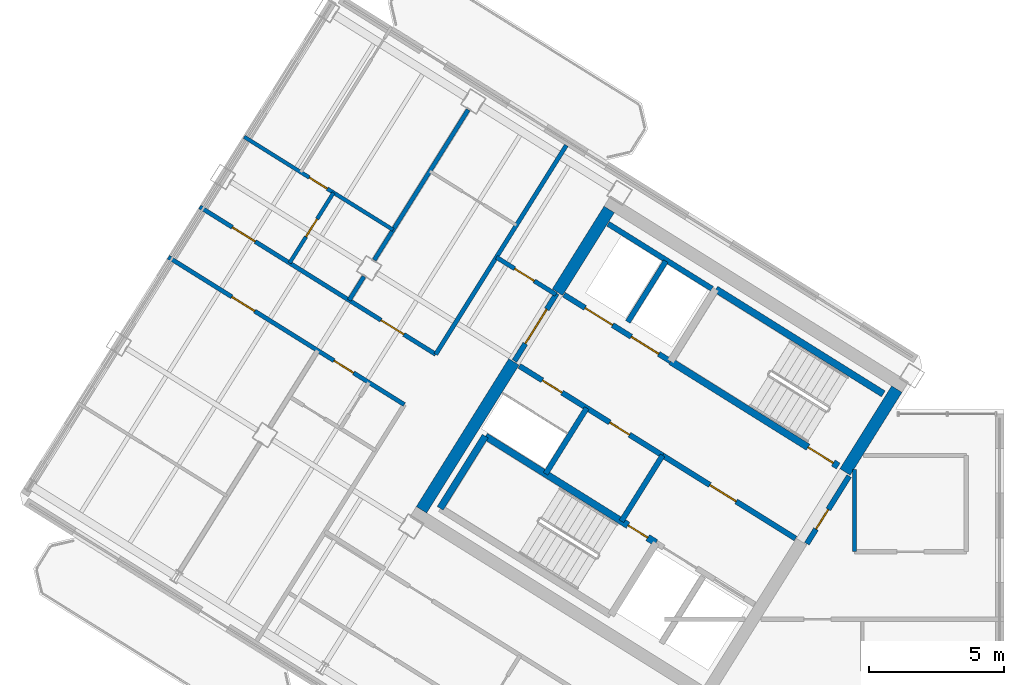
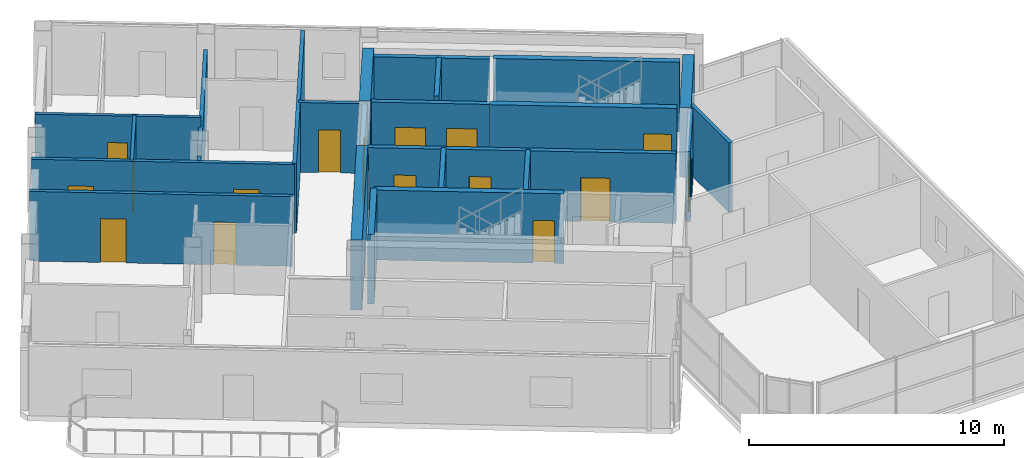
# One storey, part 8 of 13: 25 walls, 16 doors, 16 openings.
"""IFC4 building model written with IfcOpenShell, lengths in metres."""

from ifc_helpers import new_model, si_unit, direction, frame, frame_2d, origin, place, context, subcontext, project, spatial, rectangle, extrude, source, transform, mapped, material, layer, layer_set, type_object, element, fill, save


model = new_model("IFC4")

# Units and contexts
model_context = context("Model", 3, precision=1e-05, world=origin(), true_north=direction((0.0, 1.0)))
body_context = subcontext(model_context, "Body", "Model", "MODEL_VIEW")
ifc_project = project(units=[si_unit("LENGTHUNIT", "METRE"), si_unit("AREAUNIT", "SQUARE_METRE"), si_unit("VOLUMEUNIT", "CUBIC_METRE"), si_unit("PLANEANGLEUNIT", "RADIAN"), si_unit("MASSUNIT", "GRAM", prefix="KILO")], contexts=[model_context])

# Site, building, storey
site_placement = place(None, origin())
site = spatial("IfcSite", under=ifc_project, at=site_placement, CompositionType="ELEMENT")
building_placement = place(site_placement, origin())
building = spatial("IfcBuilding", under=site, at=building_placement, Name="Tlacorven Tower", CompositionType="ELEMENT")
storey_placement = place(building_placement, frame((0.0, 0.0, 291.60009765625)))
storey = spatial("IfcBuildingStorey", under=building, at=storey_placement, Name="L74", CompositionType="ELEMENT", Elevation=291.60009765625)

# Walls
ifc_material_1 = material(Name="Concrete C50/60", Category="concrete")
ifc_layer_1 = layer(ifc_material_1, 0.449951171875)
ifc_layer_set_1 = layer_set([ifc_layer_1], Name="Concrete C50/60")
wall_type_1 = type_object("IfcWallType", Name="WL-COR-450", PredefinedType="SHEAR", material=ifc_layer_set_1)
for number, where, z_axis, x_axis, name in (
    (1, (40.220703125, 23.96484375, 0.0), (0.0, 0.0, 1.0), (-0.529902075036, -0.848058836916, 0.0), "L74 W core end wall E1.1"),
    (2, (29.543701171875, 30.636474609375, 0.0), (0.0, 0.0, 1.0), (-0.529902075036, -0.848058836916, 0.0), "L74 W core end wall E2.1"),
):
    element("IfcWall", number, at=place(storey_placement, frame(where, z_axis=z_axis, x_axis=x_axis)), inside=storey, type_object=wall_type_1, Name=name, PredefinedType="SHEAR", context=body_context, shape_type="SweptSolid", body=[
        extrude(rectangle(XDim=3.625, YDim=0.449951171875, at=frame_2d((1.8125, 0.0))), origin(), (0.0, 0.0, 1.0), 3.349853515625),
    ])
wall_1_placement = place(storey_placement, frame((26.006591796875, 24.975830078125, 0.0), z_axis=(0.0, 0.0, 1.0), x_axis=(-0.529931155655, -0.848040665456, 0.0)))
element("IfcWall", 3, at=wall_1_placement, inside=storey, type_object=wall_type_1, Name="L74 W core end wall E2.2", PredefinedType="SHEAR", context=body_context, shape_type="SweptSolid", body=[
    extrude(rectangle(XDim=6.47509765625, YDim=0.449951171875, at=frame_2d((3.237548828125, 0.0))), origin(), (0.0, 0.0, 1.0), 3.349853515625),
])

# Wall, opening, door
ifc_material_2 = material(Name="Gypsum plasterboard acoustic partition", Category="gypsum")
ifc_layer_2 = layer(ifc_material_2, 0.159912109375)
ifc_layer_set_2 = layer_set([ifc_layer_2], Name="Gypsum plasterboard acoustic partition")
wall_type_2 = type_object("IfcWallType", Name="WL-DEM-160", PredefinedType="PARTITIONING", material=ifc_layer_set_2)
wall_2_placement = place(storey_placement, frame((27.56982421875, 27.4775390625, 0.0), z_axis=(0.0, 0.0, 1.0), x_axis=(-0.848050851465, 0.529914854792, 0.0)))
wall_2 = element("IfcWall", 4, at=wall_2_placement, inside=storey, type_object=wall_type_2, Name="L74 partition 19", PredefinedType="PARTITIONING", context=body_context, shape_type="SweptSolid", body=[
    extrude(rectangle(XDim=2.60986328125, YDim=0.159912109375, at=frame_2d((1.304931640625, 0.0))), origin(), (0.0, 0.0, 1.0), 3.33984375),
])
opening_1_placement = place(wall_2_placement, frame((0.949951171875, 0.0, 0.0)))
opening_1 = element("IfcOpeningElement", 5, at=opening_1_placement, cuts=wall_2, Name="Opening D19", PredefinedType="OPENING", context=body_context, shape_type="SweptSolid", body=[
    extrude(rectangle(XDim=0.860107421875, YDim=2.050048828125, at=frame_2d((0.43017578125, 1.02490234375))), frame((0.0, 0.08984375, 0.0), z_axis=(0.0, -1.0, 0.0), x_axis=(1.0, 0.0, 0.0)), (0.0, 0.0, 1.0), 0.179931640625),
])
ifc_material_3 = material(Name="Fire-rated steel door assembly", Category="steel")
door_type_1 = type_object("IfcDoorType", Name="DR-RSR-FD60-0860", OperationType="NOTDEFINED", PredefinedType="DOOR", material=ifc_material_3)
shared_shape_1 = source(origin(), body_context, "Body", "SweptSolid", [
    extrude(rectangle(XDim=0.860107421875, YDim=2.050048828125, at=frame_2d((0.43017578125, 1.02490234375))), frame((0.0, 0.02490234375, 0.0), z_axis=(0.0, -1.0, 0.0), x_axis=(1.0, 0.0, 0.0)), (0.0, 0.0, 1.0), 0.050048828125),
])
door_1_placement = place(opening_1_placement, frame((0.860107421875, 0.0, 0.0), z_axis=(0.0, 0.0, 1.0), x_axis=(-1.0, 0.0, 0.0)))
door_1 = element("IfcDoor", 6, at=door_1_placement, inside=storey, type_object=door_type_1, Name="L74 door 010", OperationType="SINGLE_SWING_LEFT", OverallHeight=2.050048828125, OverallWidth=0.860107421875, PredefinedType="DOOR", context=body_context, shape_type="MappedRepresentation", body=[
    mapped(shared_shape_1, transform((0.0, 0.0, 0.0), scale=1.0)),
])
fill(opening_1, door_1)

# Wall
wall_3_placement = place(storey_placement, frame((27.952880859375, 33.01611328125, 0.0), z_axis=(0.0, 0.0, 1.0), x_axis=(-0.529903001606, -0.848058257957, 0.0)))
element("IfcWall", 7, at=wall_3_placement, inside=storey, type_object=wall_type_2, Name="L74 partition 21", PredefinedType="PARTITIONING", context=body_context, shape_type="SweptSolid", body=[
    extrude(rectangle(XDim=9.150146484375, YDim=0.159912109375, at=frame_2d((4.5751953125, 0.0))), origin(), (0.0, 0.0, 1.0), 3.33984375),
])

# Wall, openings, doors
wall_4_placement = place(storey_placement, frame((23.104248046875, 25.25634765625, 0.0), z_axis=(0.0, 0.0, 1.0), x_axis=(-0.848043444964, 0.529926707624, 0.0)))
wall_4 = element("IfcWall", 8, at=wall_4_placement, inside=storey, type_object=wall_type_2, Name="L74 Wing W Corridor South Wall", PredefinedType="PARTITIONING", context=body_context, shape_type="SweptSolid", body=[
    extrude(rectangle(XDim=10.330078125, YDim=0.159912109375, at=frame_2d((5.1650390625, 0.0))), origin(), (0.0, 0.0, 1.0), 3.33984375),
])
opening_2_placement = place(wall_4_placement, frame((1.39501953125, 0.0, 0.0)))
opening_2 = element("IfcOpeningElement", 9, at=opening_2_placement, cuts=wall_4, Name="Opening D11", PredefinedType="OPENING", context=body_context, shape_type="SweptSolid", body=[
    extrude(rectangle(XDim=1.0, YDim=2.10009765625, at=frame_2d((0.5, 1.050048828125))), frame((0.0, 0.08984375, 0.0), z_axis=(0.0, -1.0, 0.0), x_axis=(1.0, 0.0, 0.0)), (0.0, 0.0, 1.0), 0.179931640625),
])
opening_3_placement = place(wall_4_placement, frame((7.904052734375, 0.0, 0.0)))
opening_3 = element("IfcOpeningElement", 10, at=opening_3_placement, cuts=wall_4, Name="Opening D11", PredefinedType="OPENING", context=body_context, shape_type="SweptSolid", body=[
    extrude(rectangle(XDim=1.0, YDim=2.10009765625, at=frame_2d((0.5, 1.050048828125))), frame((0.0, 0.08984375, 0.0), z_axis=(0.0, -1.0, 0.0), x_axis=(1.0, 0.0, 0.0)), (0.0, 0.0, 1.0), 0.179931640625),
])
door_type_2 = type_object("IfcDoorType", Name="DR-FLT-FD60-1000", OperationType="NOTDEFINED", PredefinedType="DOOR", material=ifc_material_3)
shared_shape_2 = source(origin(), body_context, "Body", "SweptSolid", [
    extrude(rectangle(XDim=1.0, YDim=2.10009765625, at=frame_2d((0.5, 1.050048828125))), frame((0.0, 0.02490234375, 0.0), z_axis=(0.0, -1.0, 0.0), x_axis=(1.0, 0.0, 0.0)), (0.0, 0.0, 1.0), 0.050048828125),
])
door_2_placement = place(opening_2_placement, origin())
door_2 = element("IfcDoor", 11, at=door_2_placement, inside=storey, type_object=door_type_2, Name="L74 door 017", OperationType="SINGLE_SWING_LEFT", OverallHeight=2.10009765625, OverallWidth=1.0, PredefinedType="DOOR", context=body_context, shape_type="MappedRepresentation", body=[
    mapped(shared_shape_2, transform((0.0, 0.0, 0.0), scale=1.0)),
])
fill(opening_2, door_2)
door_3_placement = place(opening_3_placement, origin())
door_3 = element("IfcDoor", 12, at=door_3_placement, inside=storey, type_object=door_type_2, Name="L74 door 020", OperationType="SINGLE_SWING_RIGHT", OverallHeight=2.10009765625, OverallWidth=1.0, PredefinedType="DOOR", context=body_context, shape_type="MappedRepresentation", body=[
    mapped(shared_shape_2, transform((0.0, 0.0, 0.0), scale=1.0)),
])
fill(opening_3, door_3)

wall_5_placement = place(storey_placement, frame((21.9384765625, 23.390625, 0.0), z_axis=(0.0, 0.0, 1.0), x_axis=(-0.848050081784, 0.529916086552, 0.0)))
wall_5 = element("IfcWall", 13, at=wall_5_placement, inside=storey, type_object=wall_type_2, Name="L74 Wing W Corridor North Wall", PredefinedType="PARTITIONING", context=body_context, shape_type="SweptSolid", body=[
    extrude(rectangle(XDim=10.330078125, YDim=0.159912109375, at=frame_2d((5.1650390625, 0.0))), origin(), (0.0, 0.0, 1.0), 3.33984375),
])
opening_4_placement = place(wall_5_placement, frame((2.219970703125, 0.0, 0.0)))
opening_4 = element("IfcOpeningElement", 14, at=opening_4_placement, cuts=wall_5, Name="Opening D19", PredefinedType="OPENING", context=body_context, shape_type="SweptSolid", body=[
    extrude(rectangle(XDim=0.860107421875, YDim=2.050048828125, at=frame_2d((0.43017578125, 1.02490234375))), frame((0.0, 0.08984375, 0.0), z_axis=(0.0, -1.0, 0.0), x_axis=(1.0, 0.0, 0.0)), (0.0, 0.0, 1.0), 0.179931640625),
])
opening_5_placement = place(wall_5_placement, frame((6.550048828125, 0.0, 0.0)))
opening_5 = element("IfcOpeningElement", 15, at=opening_5_placement, cuts=wall_5, Name="Opening D11", PredefinedType="OPENING", context=body_context, shape_type="SweptSolid", body=[
    extrude(rectangle(XDim=1.0, YDim=2.10009765625, at=frame_2d((0.5, 1.050048828125))), frame((0.0, 0.08984375, 0.0), z_axis=(0.0, -1.0, 0.0), x_axis=(1.0, 0.0, 0.0)), (0.0, 0.0, 1.0), 0.179931640625),
])
door_4_placement = place(opening_4_placement, origin())
door_4 = element("IfcDoor", 16, at=door_4_placement, inside=storey, type_object=door_type_1, Name="L74 door 012", OperationType="SINGLE_SWING_RIGHT", OverallHeight=2.050048828125, OverallWidth=0.860107421875, PredefinedType="DOOR", context=body_context, shape_type="MappedRepresentation", body=[
    mapped(shared_shape_1, transform((0.0, 0.0, 0.0), scale=1.0)),
])
fill(opening_4, door_4)
door_5_placement = place(opening_5_placement, origin())
door_5 = element("IfcDoor", 17, at=door_5_placement, inside=storey, type_object=door_type_2, Name="L74 door 015", OperationType="SINGLE_SWING_LEFT", OverallHeight=2.10009765625, OverallWidth=1.0, PredefinedType="DOOR", context=body_context, shape_type="MappedRepresentation", body=[
    mapped(shared_shape_2, transform((0.0, 0.0, 0.0), scale=1.0)),
])
fill(opening_5, door_5)

# Walls
wall_6_placement = place(storey_placement, frame((24.30859375, 34.3359375, 0.0), z_axis=(0.0, 0.0, 1.0), x_axis=(-0.529895484599, -0.848062954858, 0.0)))
element("IfcWall", 18, at=wall_6_placement, inside=storey, type_object=wall_type_2, Name="L74 WS Demising Wall 1", PredefinedType="PARTITIONING", context=body_context, shape_type="SweptSolid", body=[
    extrude(rectangle(XDim=6.576171875, YDim=0.159912109375, at=frame_2d((3.2880859375, 0.0))), origin(), (0.0, 0.0, 1.0), 2.875),
])
wall_7_placement = place(storey_placement, frame((20.440185546875, 28.14501953125, 0.0), z_axis=(0.0, 0.0, 1.0), x_axis=(-0.529977795385, -0.848011519025, 0.0)))
element("IfcWall", 19, at=wall_7_placement, inside=storey, type_object=wall_type_2, Name="L74 WS Demising Wall 1", PredefinedType="PARTITIONING", context=body_context, shape_type="SweptSolid", body=[
    extrude(rectangle(XDim=1.037841796875, YDim=0.159912109375, at=frame_2d((0.51904296875, 0.0))), origin(), (0.0, 0.0, 1.0), 2.875),
])
wall_8_placement = place(storey_placement, frame((38.64990234375, 17.929931640625, 0.0), z_axis=(0.0, 0.0, 1.0), x_axis=(0.0, 1.0, 0.0)))
element("IfcWall", 20, at=wall_8_placement, inside=storey, type_object=wall_type_2, Name="L74 partition 42", PredefinedType="PARTITIONING", context=body_context, shape_type="SweptSolid", body=[
    extrude(rectangle(XDim=3.045654296875, YDim=0.159912109375, at=frame_2d((1.52294921875, 0.0))), origin(), (0.0, 0.0, 1.0), 3.33984375),
])

# Wall, opening, door
ifc_material_4 = material(Name="Moisture-resistant gypsum plumbing wall", Category="gypsum")
ifc_layer_3 = layer(ifc_material_4, 0.139892578125)
ifc_layer_set_3 = layer_set([ifc_layer_3], Name="Moisture-resistant gypsum plumbing wall")
wall_type_3 = type_object("IfcWallType", Name="WL-PLM-140", PredefinedType="PLUMBINGWALL", material=ifc_layer_set_3)
wall_9_placement = place(storey_placement, frame((21.522216796875, 29.876708984375, 0.0), z_axis=(0.0, 0.0, 1.0), x_axis=(-0.848048787466, 0.529918157905, 0.0)))
wall_9 = element("IfcWall", 21, at=wall_9_placement, inside=storey, type_object=wall_type_3, Name="L74 partition 32", PredefinedType="PLUMBINGWALL", context=body_context, shape_type="SweptSolid", body=[
    extrude(rectangle(XDim=6.52001953125, YDim=0.139892578125, at=frame_2d((3.260009765625, 0.0))), origin(), (0.0, 0.0, 1.0), 3.33984375),
])
opening_6_placement = place(wall_9_placement, frame((2.885009765625, 0.0, 0.0)))
opening_6 = element("IfcOpeningElement", 22, at=opening_6_placement, cuts=wall_9, Name="Opening D22", PredefinedType="OPENING", context=body_context, shape_type="SweptSolid", body=[
    extrude(rectangle(XDim=0.780029296875, YDim=2.050048828125, at=frame_2d((0.39013671875, 1.02490234375))), frame((0.0, 0.080078125, 0.0), z_axis=(0.0, -1.0, 0.0), x_axis=(1.0, 0.0, 0.0)), (0.0, 0.0, 1.0), 0.159912109375),
])
ifc_material_5 = material(Name="Powder-coated aluminium and timber door", Category="wood")
door_type_3 = type_object("IfcDoorType", Name="DR-INT-WET-0780", OperationType="NOTDEFINED", PredefinedType="DOOR", material=ifc_material_5)
shared_shape_3 = source(origin(), body_context, "Body", "SweptSolid", [
    extrude(rectangle(XDim=0.780029296875, YDim=2.050048828125, at=frame_2d((0.39013671875, 1.02490234375))), frame((0.0, 0.02490234375, 0.0), z_axis=(0.0, -1.0, 0.0), x_axis=(1.0, 0.0, 0.0)), (0.0, 0.0, 1.0), 0.050048828125),
])
door_6_placement = place(opening_6_placement, origin())
door_6 = element("IfcDoor", 23, at=door_6_placement, inside=storey, type_object=door_type_3, Name="L74 door 021", OperationType="SINGLE_SWING_LEFT", OverallHeight=2.050048828125, OverallWidth=0.780029296875, PredefinedType="DOOR", context=body_context, shape_type="MappedRepresentation", body=[
    mapped(shared_shape_3, transform((0.0, 0.0, 0.0), scale=1.0)),
])
fill(opening_6, door_6)

wall_10_placement = place(storey_placement, frame((19.310546875, 31.2587890625, 0.0), z_axis=(0.0, 0.0, 1.0), x_axis=(-0.52989206052, -0.848065094316, 0.0)))
wall_10 = element("IfcWall", 24, at=wall_10_placement, inside=storey, type_object=wall_type_3, Name="L74 partition 33", PredefinedType="PLUMBINGWALL", context=body_context, shape_type="SweptSolid", body=[
    extrude(rectangle(XDim=3.080078125, YDim=0.139892578125, at=frame_2d((1.5400390625, 0.0))), origin(), (0.0, 0.0, 1.0), 3.33984375),
])
opening_7_placement = place(wall_10_placement, frame((1.14990234375, 0.0, 0.0)))
opening_7 = element("IfcOpeningElement", 25, at=opening_7_placement, cuts=wall_10, Name="Opening D22", PredefinedType="OPENING", context=body_context, shape_type="SweptSolid", body=[
    extrude(rectangle(XDim=0.780029296875, YDim=2.050048828125, at=frame_2d((0.39013671875, 1.02490234375))), frame((0.0, 0.080078125, 0.0), z_axis=(0.0, -1.0, 0.0), x_axis=(1.0, 0.0, 0.0)), (0.0, 0.0, 1.0), 0.159912109375),
])
door_7_placement = place(opening_7_placement, origin())
door_7 = element("IfcDoor", 26, at=door_7_placement, inside=storey, type_object=door_type_3, Name="L74 door 022", OperationType="SINGLE_SWING_RIGHT", OverallHeight=2.050048828125, OverallWidth=0.780029296875, PredefinedType="DOOR", context=body_context, shape_type="MappedRepresentation", body=[
    mapped(shared_shape_3, transform((0.0, 0.0, 0.0), scale=1.0)),
])
fill(opening_7, door_7)

ifc_material_6 = material(Name="Concrete C40/50", Category="concrete")
ifc_layer_4 = layer(ifc_material_6, 0.199951171875)
ifc_layer_set_4 = layer_set([ifc_layer_4], Name="Concrete C40/50")
wall_type_4 = type_object("IfcWallType", Name="WL-SHF-200", PredefinedType="STANDARD", material=ifc_layer_set_4)
wall_11_placement = place(storey_placement, frame((36.459228515625, 18.420654296875, 0.0), z_axis=(0.0, 0.0, 1.0), x_axis=(-0.848059591691, 0.529900867089, 0.0)))
wall_11 = element("IfcWall", 27, at=wall_11_placement, inside=storey, type_object=wall_type_4, Name="L74 Core W Smoke Lobby Wall", PredefinedType="STANDARD", context=body_context, shape_type="SweptSolid", body=[
    extrude(rectangle(XDim=5.818115234375, YDim=0.199951171875, at=frame_2d((2.9091796875, 0.0))), origin(), (0.0, 0.0, 1.0), 3.33984375),
])
opening_8_placement = place(wall_11_placement, frame((2.597900390625, 0.0, 0.0)))
opening_8 = element("IfcOpeningElement", 28, at=opening_8_placement, cuts=wall_11, Name="Opening D09", PredefinedType="OPENING", context=body_context, shape_type="SweptSolid", body=[
    extrude(rectangle(XDim=1.14990234375, YDim=2.10009765625, at=frame_2d((0.574951171875, 1.050048828125))), frame((0.0, 0.10986328125, 0.0), z_axis=(0.0, -1.0, 0.0), x_axis=(1.0, 0.0, 0.0)), (0.0, 0.0, 1.0), 0.219970703125),
])
door_type_4 = type_object("IfcDoorType", Name="DR-FFL-FD60-1150", OperationType="NOTDEFINED", PredefinedType="DOOR", material=ifc_material_3)
shared_shape_4 = source(origin(), body_context, "Body", "SweptSolid", [
    extrude(rectangle(XDim=1.14990234375, YDim=2.10009765625, at=frame_2d((0.574951171875, 1.050048828125))), frame((0.0, 0.02490234375, 0.0), z_axis=(0.0, -1.0, 0.0), x_axis=(1.0, 0.0, 0.0)), (0.0, 0.0, 1.0), 0.050048828125),
])
door_8_placement = place(opening_8_placement, origin())
door_8 = element("IfcDoor", 29, at=door_8_placement, inside=storey, type_object=door_type_4, Name="L74 Firefighting Lobby W Fire Door", OperationType="SINGLE_SWING_RIGHT", OverallHeight=2.10009765625, OverallWidth=1.14990234375, PredefinedType="DOOR", context=body_context, shape_type="MappedRepresentation", body=[
    mapped(shared_shape_4, transform((0.0, 0.0, 0.0), scale=1.0)),
])
fill(opening_8, door_8)

# Wall, openings, doors
wall_12_placement = place(storey_placement, frame((31.82177734375, 24.99755859375, 0.0), z_axis=(0.0, 0.0, 1.0), x_axis=(-0.848054125777, 0.529909614701, 0.0)))
wall_12 = element("IfcWall", 30, at=wall_12_placement, inside=storey, type_object=wall_type_4, Name="L74 Core W South Lift Shaft Wall", PredefinedType="STANDARD", context=body_context, shape_type="SweptSolid", body=[
    extrude(rectangle(XDim=4.66796875, YDim=0.199951171875, at=frame_2d((2.333984375, 0.0))), origin(), (0.0, 0.0, 1.0), 3.33984375),
])
opening_9_placement = place(wall_12_placement, frame((0.52001953125, 0.0, 0.0)))
opening_9 = element("IfcOpeningElement", 31, at=opening_9_placement, cuts=wall_12, Name="Opening LD02", PredefinedType="OPENING", context=body_context, shape_type="SweptSolid", body=[
    extrude(rectangle(XDim=1.199951171875, YDim=2.14990234375, at=frame_2d((0.60009765625, 1.074951171875))), frame((0.0, 0.10986328125, 0.0), z_axis=(0.0, -1.0, 0.0), x_axis=(1.0, 0.0, 0.0)), (0.0, 0.0, 1.0), 0.219970703125),
])
opening_10_placement = place(wall_12_placement, frame((2.5400390625, 0.0, 0.0)))
opening_10 = element("IfcOpeningElement", 32, at=opening_10_placement, cuts=wall_12, Name="Opening LD02", PredefinedType="OPENING", context=body_context, shape_type="SweptSolid", body=[
    extrude(rectangle(XDim=1.199951171875, YDim=2.14990234375, at=frame_2d((0.60009765625, 1.074951171875))), frame((0.0, 0.10986328125, 0.0), z_axis=(0.0, -1.0, 0.0), x_axis=(1.0, 0.0, 0.0)), (0.0, 0.0, 1.0), 0.219970703125),
])
door_type_5 = type_object("IfcDoorType", Name="DR-LFT-SLID-1200", OperationType="DOUBLE_DOOR_SLIDING", PredefinedType="DOOR", material=ifc_material_3)
shared_shape_5 = source(origin(), body_context, "Body", "SweptSolid", [
    extrude(rectangle(XDim=1.199951171875, YDim=2.14990234375, at=frame_2d((0.60009765625, 1.074951171875))), frame((0.0, 0.02490234375, 0.0), z_axis=(0.0, -1.0, 0.0), x_axis=(1.0, 0.0, 0.0)), (0.0, 0.0, 1.0), 0.050048828125),
])
door_9_placement = place(opening_9_placement, origin())
door_9 = element("IfcDoor", 33, at=door_9_placement, inside=storey, type_object=door_type_5, Name="L74 Lift PL-H1 Sliding Landing Door", OperationType="DOUBLE_DOOR_SLIDING", OverallHeight=2.14990234375, OverallWidth=1.199951171875, PredefinedType="DOOR", context=body_context, shape_type="MappedRepresentation", body=[
    mapped(shared_shape_5, transform((0.0, 0.0, 0.0), scale=1.0)),
])
fill(opening_9, door_9)
door_10_placement = place(opening_10_placement, origin())
door_10 = element("IfcDoor", 34, at=door_10_placement, inside=storey, type_object=door_type_5, Name="L74 Lift PL-H2 Sliding Landing Door", OperationType="DOUBLE_DOOR_SLIDING", OverallHeight=2.14990234375, OverallWidth=1.199951171875, PredefinedType="DOOR", context=body_context, shape_type="MappedRepresentation", body=[
    mapped(shared_shape_5, transform((0.0, 0.0, 0.0), scale=1.0)),
])
fill(opening_10, door_10)

# Walls
wall_13_placement = place(storey_placement, frame((31.645263671875, 28.716064453125, 0.0), z_axis=(0.0, 0.0, 1.0), x_axis=(-0.52986693015, -0.848080795876, 0.0)))
element("IfcWall", 35, at=wall_13_placement, inside=storey, type_object=wall_type_4, Name="L74 partition 12", PredefinedType="STANDARD", context=body_context, shape_type="SweptSolid", body=[
    extrude(rectangle(XDim=2.659912109375, YDim=0.199951171875, at=frame_2d((1.330078125, 0.0))), origin(), (0.0, 0.0, 1.0), 3.33984375),
])
wall_14_placement = place(storey_placement, frame((33.362548828125, 27.690185546875, 0.0), z_axis=(0.0, 0.0, 1.0), x_axis=(-0.84804957148, 0.529916903215, 0.0)))
element("IfcWall", 36, at=wall_14_placement, inside=storey, type_object=wall_type_4, Name="L74 partition 14", PredefinedType="STANDARD", context=body_context, shape_type="SweptSolid", body=[
    extrude(rectangle(XDim=4.547607421875, YDim=0.199951171875, at=frame_2d((2.27392578125, 0.0))), origin(), (0.0, 0.0, 1.0), 3.33984375),
])
for number, where, z_axis, x_axis, name in (
    (37, (31.525146484375, 21.503662109375, 0.0), (0.0, 0.0, 1.0), (-0.529907497854, -0.848055448493, 0.0), "L74 partition 15"),
    (38, (28.709716796875, 23.26318359375, 0.0), (0.0, 0.0, 1.0), (-0.529907497854, -0.848055448493, 0.0), "L74 partition 16"),
):
    element("IfcWall", number, at=place(storey_placement, frame(where, z_axis=z_axis, x_axis=x_axis)), inside=storey, type_object=wall_type_4, Name=name, PredefinedType="STANDARD", context=body_context, shape_type="SweptSolid", body=[
        extrude(rectangle(XDim=2.8798828125, YDim=0.199951171875, at=frame_2d((1.43994140625, 0.0))), origin(), (0.0, 0.0, 1.0), 3.33984375),
    ])

# Wall, openings, doors
wall_15_placement = place(storey_placement, frame((31.525146484375, 21.503662109375, 0.0), z_axis=(0.0, 0.0, 1.0), x_axis=(-0.848042066329, 0.529928913853, 0.0)))
wall_15 = element("IfcWall", 39, at=wall_15_placement, inside=storey, type_object=wall_type_4, Name="L74 Core W North Service Wall", PredefinedType="STANDARD", context=body_context, shape_type="SweptSolid", body=[
    extrude(rectangle(XDim=6.267822265625, YDim=0.199951171875, at=frame_2d((3.1337890625, 0.0))), origin(), (0.0, 0.0, 1.0), 3.33984375),
])
opening_11_placement = place(wall_15_placement, frame((4.39990234375, 0.0, 0.0)))
opening_11 = element("IfcOpeningElement", 40, at=opening_11_placement, cuts=wall_15, Name="Opening D19", PredefinedType="OPENING", context=body_context, shape_type="SweptSolid", body=[
    extrude(rectangle(XDim=0.860107421875, YDim=2.050048828125, at=frame_2d((0.43017578125, 1.02490234375))), frame((0.0, 0.10986328125, 0.0), z_axis=(0.0, -1.0, 0.0), x_axis=(1.0, 0.0, 0.0)), (0.0, 0.0, 1.0), 0.219970703125),
])
opening_12_placement = place(wall_15_placement, frame((1.449951171875, 0.0, 0.0)))
opening_12 = element("IfcOpeningElement", 41, at=opening_12_placement, cuts=wall_15, Name="Opening D19", PredefinedType="OPENING", context=body_context, shape_type="SweptSolid", body=[
    extrude(rectangle(XDim=0.860107421875, YDim=2.050048828125, at=frame_2d((0.43017578125, 1.02490234375))), frame((0.0, 0.10986328125, 0.0), z_axis=(0.0, -1.0, 0.0), x_axis=(1.0, 0.0, 0.0)), (0.0, 0.0, 1.0), 0.219970703125),
])
door_11_placement = place(opening_11_placement, frame((0.860107421875, 0.0, 0.0), z_axis=(0.0, 0.0, 1.0), x_axis=(-1.0, 0.0, 0.0)))
door_11 = element("IfcDoor", 42, at=door_11_placement, inside=storey, type_object=door_type_1, Name="L74 Electrical Riser Access Door W", OperationType="SINGLE_SWING_LEFT", OverallHeight=2.050048828125, OverallWidth=0.860107421875, PredefinedType="DOOR", context=body_context, shape_type="MappedRepresentation", body=[
    mapped(shared_shape_1, transform((0.0, 0.0, 0.0), scale=1.0)),
])
fill(opening_11, door_11)
door_12_placement = place(opening_12_placement, frame((0.860107421875, 0.0, 0.0), z_axis=(0.0, 0.0, 1.0), x_axis=(-1.0, 0.0, 0.0)))
door_12 = element("IfcDoor", 43, at=door_12_placement, inside=storey, type_object=door_type_1, Name="L74 Housekeeping Linen Access Door W", OperationType="SINGLE_SWING_RIGHT", OverallHeight=2.050048828125, OverallWidth=0.860107421875, PredefinedType="DOOR", context=body_context, shape_type="MappedRepresentation", body=[
    mapped(shared_shape_1, transform((0.0, 0.0, 0.0), scale=1.0)),
])
fill(opening_12, door_12)

# Wall, opening, door
wall_16_placement = place(storey_placement, frame((27.59619140625, 27.52001953125, 0.0), z_axis=(0.0, 0.0, 1.0), x_axis=(-0.529865479138, -0.848081702443, 0.0)))
wall_16 = element("IfcWall", 44, at=wall_16_placement, inside=storey, type_object=wall_type_4, Name="L74 partition 18", PredefinedType="STANDARD", context=body_context, shape_type="SweptSolid", body=[
    extrude(rectangle(XDim=2.9599609375, YDim=0.199951171875, at=frame_2d((1.47998046875, 0.0))), origin(), (0.0, 0.0, 1.0), 3.33984375),
])
opening_13_placement = place(wall_16_placement, frame((0.699951171875, 0.0, 0.0)))
opening_13 = element("IfcOpeningElement", 45, at=opening_13_placement, cuts=wall_16, Name="Opening D10", PredefinedType="OPENING", context=body_context, shape_type="SweptSolid", body=[
    extrude(rectangle(XDim=1.5, YDim=2.14990234375, at=frame_2d((0.75, 1.074951171875))), frame((0.0, 0.10986328125, 0.0), z_axis=(0.0, -1.0, 0.0), x_axis=(1.0, 0.0, 0.0)), (0.0, 0.0, 1.0), 0.219970703125),
])
door_type_6 = type_object("IfcDoorType", Name="DR-LOB-FD60-1500", OperationType="DOUBLE_DOOR_SINGLE_SWING", PredefinedType="DOOR", material=ifc_material_3)
shared_shape_6 = source(origin(), body_context, "Body", "SweptSolid", [
    extrude(rectangle(XDim=1.5, YDim=2.14990234375, at=frame_2d((0.75, 1.074951171875))), frame((0.0, 0.02490234375, 0.0), z_axis=(0.0, -1.0, 0.0), x_axis=(1.0, 0.0, 0.0)), (0.0, 0.0, 1.0), 0.050048828125),
])
door_13_placement = place(opening_13_placement, origin())
door_13 = element("IfcDoor", 46, at=door_13_placement, inside=storey, type_object=door_type_6, Name="L74 door 011", OperationType="DOUBLE_DOOR_SINGLE_SWING", OverallHeight=2.14990234375, OverallWidth=1.5, PredefinedType="DOOR", context=body_context, shape_type="MappedRepresentation", body=[
    mapped(shared_shape_6, transform((0.0, 0.0, 0.0), scale=1.0)),
])
fill(opening_13, door_13)

wall_17_placement = place(storey_placement, frame((38.451416015625, 20.737060546875, 0.0), z_axis=(0.0, 0.0, 1.0), x_axis=(-0.529924799939, -0.848044637038, 0.0)))
wall_17 = element("IfcWall", 47, at=wall_17_placement, inside=storey, type_object=wall_type_4, Name="L74 partition 39", PredefinedType="STANDARD", context=body_context, shape_type="SweptSolid", body=[
    extrude(rectangle(XDim=2.9599609375, YDim=0.199951171875, at=frame_2d((1.47998046875, 0.0))), origin(), (0.0, 0.0, 1.0), 3.33984375),
])
opening_14_placement = place(wall_17_placement, frame((1.4599609375, 0.0, 0.0)))
opening_14 = element("IfcOpeningElement", 48, at=opening_14_placement, cuts=wall_17, Name="Opening D19", PredefinedType="OPENING", context=body_context, shape_type="SweptSolid", body=[
    extrude(rectangle(XDim=0.860107421875, YDim=2.050048828125, at=frame_2d((0.43017578125, 1.02490234375))), frame((0.0, 0.10986328125, 0.0), z_axis=(0.0, -1.0, 0.0), x_axis=(1.0, 0.0, 0.0)), (0.0, 0.0, 1.0), 0.219970703125),
])
door_14_placement = place(opening_14_placement, frame((0.860107421875, 0.0, 0.0), z_axis=(0.0, 0.0, 1.0), x_axis=(-1.0, 0.0, 0.0)))
door_14 = element("IfcDoor", 49, at=door_14_placement, inside=storey, type_object=door_type_1, Name="L74 door 027", OperationType="SINGLE_SWING_LEFT", OverallHeight=2.050048828125, OverallWidth=0.860107421875, PredefinedType="DOOR", context=body_context, shape_type="MappedRepresentation", body=[
    mapped(shared_shape_1, transform((0.0, 0.0, 0.0), scale=1.0)),
])
fill(opening_14, door_14)

ifc_layer_5 = layer(ifc_material_1, 0.260009765625)
ifc_layer_set_5 = layer_set([ifc_layer_5], Name="Concrete C50/60")
wall_type_5 = type_object("IfcWallType", Name="WL-STW-260", PredefinedType="SHEAR", material=ifc_layer_set_5)
wall_18_placement = place(storey_placement, frame((31.279541015625, 18.26123046875, 0.0), z_axis=(0.0, 0.0, 1.0), x_axis=(-0.848051618787, 0.529913626805, 0.0)))
wall_18 = element("IfcWall", 50, at=wall_18_placement, inside=storey, type_object=wall_type_5, Name="L74 Stair W1 Lobby Shear Wall", PredefinedType="SHEAR", context=body_context, shape_type="SweptSolid", body=[
    extrude(rectangle(XDim=7.4599609375, YDim=0.260009765625, at=frame_2d((3.72998046875, 0.0))), origin(), (0.0, 0.0, 1.0), 3.349853515625),
])
opening_15_placement = place(wall_18_placement, frame((0.360107421875, 0.0, 0.0)))
opening_15 = element("IfcOpeningElement", 51, at=opening_15_placement, cuts=wall_18, Name="Opening D19", PredefinedType="OPENING", context=body_context, shape_type="SweptSolid", body=[
    extrude(rectangle(XDim=0.860107421875, YDim=2.050048828125, at=frame_2d((0.43017578125, 1.02490234375))), frame((0.0, 0.14013671875, 0.0), z_axis=(0.0, -1.0, 0.0), x_axis=(1.0, 0.0, 0.0)), (0.0, 0.0, 1.0), 0.280029296875),
])
door_15_placement = place(opening_15_placement, frame((0.860107421875, 0.0, 0.0), z_axis=(0.0, 0.0, 1.0), x_axis=(-1.0, 0.0, 0.0)))
door_15 = element("IfcDoor", 52, at=door_15_placement, inside=storey, type_object=door_type_1, Name="L74 Exit Stair W1 Fire Door", OperationType="SINGLE_SWING_LEFT", OverallHeight=2.050048828125, OverallWidth=0.860107421875, PredefinedType="DOOR", context=body_context, shape_type="MappedRepresentation", body=[
    mapped(shared_shape_1, transform((0.0, 0.0, 0.0), scale=1.0)),
])
fill(opening_15, door_15)

# Walls
wall_19_placement = place(storey_placement, frame((24.944580078125, 22.2197265625, 0.0), z_axis=(0.0, 0.0, 1.0), x_axis=(-0.529908658664, -0.84805472316, 0.0)))
element("IfcWall", 53, at=wall_19_placement, inside=storey, type_object=wall_type_5, Name="L74 Stair W1 East Shear Wall", PredefinedType="SHEAR", context=body_context, shape_type="SweptSolid", body=[
    extrude(rectangle(XDim=3.16015625, YDim=0.260009765625, at=frame_2d((1.580078125, 0.0))), origin(), (0.0, 0.0, 1.0), 3.349853515625),
])
wall_20_placement = place(storey_placement, frame((39.720947265625, 23.787841796875, 0.0), z_axis=(0.0, 0.0, 1.0), x_axis=(-0.848054434086, 0.529909121291, 0.0)))
element("IfcWall", 54, at=wall_20_placement, inside=storey, type_object=wall_type_5, Name="L74 Stair W2 Far Shear Wall", PredefinedType="SHEAR", context=body_context, shape_type="SweptSolid", body=[
    extrude(rectangle(XDim=7.330078125, YDim=0.260009765625, at=frame_2d((3.6650390625, 0.0))), origin(), (0.0, 0.0, 1.0), 3.349853515625),
])

# Wall, opening, door
wall_21_placement = place(storey_placement, frame((38.04638671875, 21.10791015625, 0.0), z_axis=(0.0, 0.0, 1.0), x_axis=(-0.848054434086, 0.529909121291, 0.0)))
wall_21 = element("IfcWall", 55, at=wall_21_placement, inside=storey, type_object=wall_type_5, Name="L74 Stair W2 Lobby Shear Wall", PredefinedType="SHEAR", context=body_context, shape_type="SweptSolid", body=[
    extrude(rectangle(XDim=7.330078125, YDim=0.260009765625, at=frame_2d((3.6650390625, 0.0))), origin(), (0.0, 0.0, 1.0), 3.349853515625),
])
opening_16_placement = place(wall_21_placement, frame((0.219970703125, 0.0, 0.0)))
opening_16 = element("IfcOpeningElement", 56, at=opening_16_placement, cuts=wall_21, Name="Opening D07", PredefinedType="OPENING", context=body_context, shape_type="SweptSolid", body=[
    extrude(rectangle(XDim=1.10009765625, YDim=2.10009765625, at=frame_2d((0.550048828125, 1.050048828125))), frame((0.0, 0.14013671875, 0.0), z_axis=(0.0, -1.0, 0.0), x_axis=(1.0, 0.0, 0.0)), (0.0, 0.0, 1.0), 0.280029296875),
])
door_type_7 = type_object("IfcDoorType", Name="DR-STR-FD90-1100", OperationType="NOTDEFINED", PredefinedType="DOOR", material=ifc_material_3)
shared_shape_7 = source(origin(), body_context, "Body", "SweptSolid", [
    extrude(rectangle(XDim=1.10009765625, YDim=2.10009765625, at=frame_2d((0.550048828125, 1.050048828125))), frame((0.0, 0.02490234375, 0.0), z_axis=(0.0, -1.0, 0.0), x_axis=(1.0, 0.0, 0.0)), (0.0, 0.0, 1.0), 0.050048828125),
])
door_16_placement = place(opening_16_placement, origin())
door_16 = element("IfcDoor", 57, at=door_16_placement, inside=storey, type_object=door_type_7, Name="L74 Exit Stair W2 Fire Door", OperationType="SINGLE_SWING_LEFT", OverallHeight=2.10009765625, OverallWidth=1.10009765625, PredefinedType="DOOR", context=body_context, shape_type="MappedRepresentation", body=[
    mapped(shared_shape_7, transform((0.0, 0.0, 0.0), scale=1.0)),
])
fill(opening_16, door_16)

save(model, "model.ifc")
